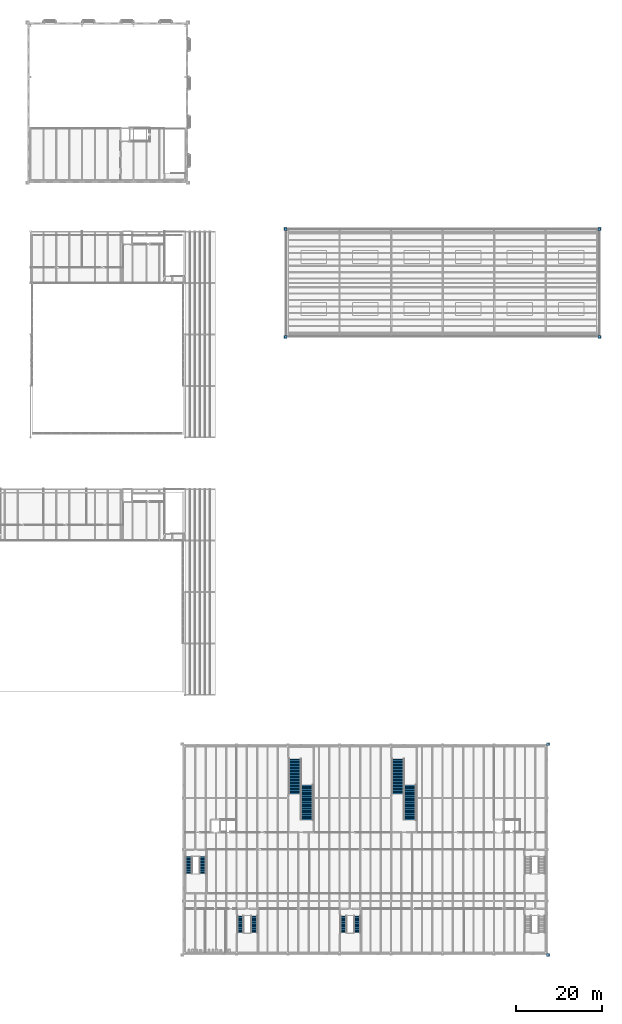
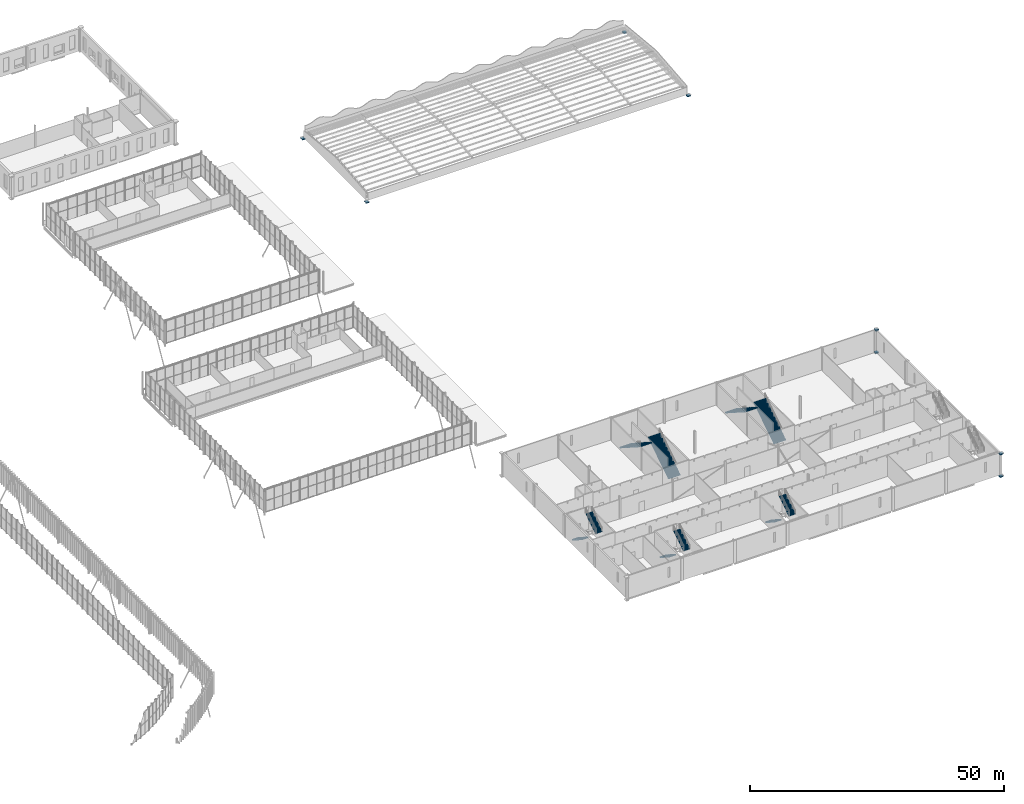
# One storey, part 123 of 170: 16 walls, 10 stair flights, 7 elements without a shape of their own.
"""IFC4 building model written with IfcOpenShell, lengths in metres."""

from ifc_helpers import new_model, si_unit, direction, frame, frame_2d, origin, place, context, subcontext, project, spatial, polyline, rectangle, outline, extrude, material, layer, layer_set, type_object, element, aggregate, save


model = new_model("IFC4")

# Units and contexts
model_context = context("Model", 3, precision=1e-05, world=origin(), true_north=direction((0.0, 1.0)))
body_context = subcontext(model_context, "Body", "Model", "MODEL_VIEW")
ifc_project = project(units=[si_unit("LENGTHUNIT", "METRE"), si_unit("AREAUNIT", "SQUARE_METRE"), si_unit("VOLUMEUNIT", "CUBIC_METRE"), si_unit("PLANEANGLEUNIT", "RADIAN"), si_unit("MASSUNIT", "GRAM", prefix="KILO")], contexts=[model_context])

# Site, building, storey
site_placement = place(None, origin())
site = spatial("IfcSite", under=ifc_project, at=site_placement, CompositionType="ELEMENT")
building_placement = place(site_placement, origin())
building = spatial("IfcBuilding", under=site, at=building_placement, Name="Ravi Spectrum Wholesale Market", CompositionType="ELEMENT")
storey_placement = place(building_placement, frame((0.0, 0.0, 5.39990234375)))
storey = spatial("IfcBuildingStorey", under=building, at=storey_placement, Name="L01", CompositionType="ELEMENT", Elevation=5.39990234375)

# Walls
ifc_material_1 = material(Name="Clinker brickwork", Category="masonry")
ifc_layer_1 = layer(ifc_material_1, 0.554931640625)
ifc_layer_set_1 = layer_set([ifc_layer_1], Name="Clinker brickwork")
wall_type_1 = type_object("IfcWallType", Name="Brick corbel 555", PredefinedType="SOLIDWALL", material=ifc_layer_set_1)
for number, where, z_axis, x_axis, name in (
    (1, (282.25, 17.472412109375, -0.389892578125), (0.0, 0.0, 1.0), (1.0, 0.0, 0.0), "CS-WL-L01-034"),
    (2, (282.25, 66.527587890625, -0.389892578125), (0.0, 0.0, 1.0), (1.0, 0.0, 0.0), "CS-WL-L01-037"),
):
    element("IfcWall", number, at=place(storey_placement, frame(where, z_axis=z_axis, x_axis=x_axis)), inside=storey, type_object=wall_type_1, Name=name, PredefinedType="SOLIDWALL", context=body_context, shape_type="SweptSolid", body=[
        extrude(rectangle(XDim=0.530029296875, YDim=0.554931640625, at=frame_2d((0.26513671875, 0.0))), origin(), (0.0, 0.0, 1.0), 0.1298828125),
    ])
for number, where, z_axis, x_axis, name in (
    (3, (282.25, 17.472412109375, 5.010009765625), (0.0, 0.0, 1.0), (1.0, 0.0, 0.0), "CS-WL-L01-048"),
    (4, (282.25, 66.527587890625, 5.010009765625), (0.0, 0.0, 1.0), (1.0, 0.0, 0.0), "CS-WL-L01-052"),
):
    element("IfcWall", number, at=place(storey_placement, frame(where, z_axis=z_axis, x_axis=x_axis)), inside=storey, type_object=wall_type_1, Name=name, PredefinedType="SOLIDWALL", context=body_context, shape_type="SweptSolid", body=[
        extrude(rectangle(XDim=0.530029296875, YDim=0.554931640625, at=frame_2d((0.26513671875, 0.0))), origin(), (0.0, 0.0, 1.0), 0.130126953125),
    ])
ifc_material_2 = material(Name="Clinker brickwork", Category="masonry")
ifc_layer_2 = layer(ifc_material_2, 0.594970703125)
ifc_layer_set_2 = layer_set([ifc_layer_2], Name="Clinker brickwork")
wall_type_2 = type_object("IfcWallType", Name="Brick corbel 595", PredefinedType="SOLIDWALL", material=ifc_layer_set_2)
for number, where, z_axis, x_axis, name in (
    (5, (221.75, 161.452392578125, -0.389892578125), (0.0, 0.0, 1.0), (-1.0, 0.0, 0.0), "GS-WL-L01-005"),
    (6, (294.25, 161.452392578125, -0.389892578125), (0.0, 0.0, 1.0), (1.0, 0.0, 0.0), "GS-WL-L01-008"),
    (7, (294.25, 186.547607421875, -0.389892578125), (0.0, 0.0, 1.0), (1.0, 0.0, 0.0), "GS-WL-L01-011"),
    (8, (221.75, 186.547607421875, -0.389892578125), (0.0, 0.0, 1.0), (-1.0, 0.0, 0.0), "GS-WL-L01-014"),
):
    element("IfcWall", number, at=place(storey_placement, frame(where, z_axis=z_axis, x_axis=x_axis)), inside=storey, type_object=wall_type_2, Name=name, PredefinedType="SOLIDWALL", context=body_context, shape_type="SweptSolid", body=[
        extrude(rectangle(XDim=0.570068359375, YDim=0.594970703125, at=frame_2d((0.28515625, 0.0))), origin(), (0.0, 0.0, 1.0), 0.1298828125),
    ])
ifc_material_3 = material(Name="Clinker brickwork", Category="masonry")
ifc_layer_3 = layer(ifc_material_3, 0.625)
ifc_layer_set_3 = layer_set([ifc_layer_3], Name="Clinker brickwork")
wall_type_3 = type_object("IfcWallType", Name="Brick corbel 625", PredefinedType="SOLIDWALL", material=ifc_layer_set_3)
for number, where, z_axis, x_axis, name in (
    (9, (282.25, 17.4375, -0.260009765625), (0.0, 0.0, 1.0), (1.0, 0.0, 0.0), "CS-WL-L01-035"),
    (10, (282.25, 66.5625, -0.260009765625), (0.0, 0.0, 1.0), (1.0, 0.0, 0.0), "CS-WL-L01-038"),
):
    element("IfcWall", number, at=place(storey_placement, frame(where, z_axis=z_axis, x_axis=x_axis)), inside=storey, type_object=wall_type_3, Name=name, PredefinedType="SOLIDWALL", context=body_context, shape_type="SweptSolid", body=[
        extrude(rectangle(XDim=0.64501953125, YDim=0.625, at=frame_2d((0.322509765625, 0.0))), origin(), (0.0, 0.0, 1.0), 0.130126953125),
    ])
for number, where, z_axis, x_axis, name in (
    (11, (282.25, 17.4375, 5.14013671875), (0.0, 0.0, 1.0), (1.0, 0.0, 0.0), "CS-WL-L01-049"),
    (12, (282.25, 66.5625, 5.14013671875), (0.0, 0.0, 1.0), (1.0, 0.0, 0.0), "CS-WL-L01-053"),
):
    element("IfcWall", number, at=place(storey_placement, frame(where, z_axis=z_axis, x_axis=x_axis)), inside=storey, type_object=wall_type_3, Name=name, PredefinedType="SOLIDWALL", context=body_context, shape_type="SweptSolid", body=[
        extrude(rectangle(XDim=0.64501953125, YDim=0.625, at=frame_2d((0.322509765625, 0.0))), origin(), (0.0, 0.0, 1.0), 0.1298828125),
    ])
ifc_material_4 = material(Name="Clinker brickwork", Category="masonry")
ifc_layer_4 = layer(ifc_material_4, 0.6650390625)
ifc_layer_set_4 = layer_set([ifc_layer_4], Name="Clinker brickwork")
wall_type_4 = type_object("IfcWallType", Name="Brick corbel 665", PredefinedType="SOLIDWALL", material=ifc_layer_set_4)
for number, where, z_axis, x_axis, name in (
    (13, (221.75, 161.41748046875, -0.260009765625), (0.0, 0.0, 1.0), (-1.0, 0.0, 0.0), "GS-WL-L01-006"),
    (14, (294.25, 161.41748046875, -0.260009765625), (0.0, 0.0, 1.0), (1.0, 0.0, 0.0), "GS-WL-L01-009"),
    (15, (294.25, 186.58251953125, -0.260009765625), (0.0, 0.0, 1.0), (1.0, 0.0, 0.0), "GS-WL-L01-012"),
    (16, (221.75, 186.58251953125, -0.260009765625), (0.0, 0.0, 1.0), (-1.0, 0.0, 0.0), "GS-WL-L01-015"),
):
    element("IfcWall", number, at=place(storey_placement, frame(where, z_axis=z_axis, x_axis=x_axis)), inside=storey, type_object=wall_type_4, Name=name, PredefinedType="SOLIDWALL", context=body_context, shape_type="SweptSolid", body=[
        extrude(rectangle(XDim=0.68505859375, YDim=0.6650390625, at=frame_2d((0.342529296875, 0.0))), origin(), (0.0, 0.0, 1.0), 0.130126953125),
    ])

# Stair, stair flights
ifc_material_5 = material(Name="Concrete C35/45", Category="concrete")
stair_type = type_object("IfcStairType", Name="Stair", PredefinedType="NOTDEFINED", material=ifc_material_5)
stair_1_placement = place(storey_placement, origin())
stair_1 = element("IfcStair", 17, at=stair_1_placement, inside=storey, type_object=stair_type, Name="L01 S-CS-1", PredefinedType="HALF_TURN_STAIR")
ifc_material_6 = material(Name="Concrete C35/45", Category="concrete")
stair_flight_type = type_object("IfcStairFlightType", Name="Stair flight", PredefinedType="STRAIGHT", material=ifc_material_6)
stair_flight_1_placement = place(storey_placement, frame((198.89990234375, 40.35009765625, 0.0), z_axis=(0.0, 0.0, 1.0), x_axis=(0.0, -1.0, 0.0)))
stair_flight_1 = element("IfcStairFlight", 18, at=stair_flight_1_placement, type_object=stair_flight_type, Name="S-CS-1 flight 1", NumberOfRisers=15, NumberOfTreads=14, PredefinedType="STRAIGHT", RiserHeight=0.18, TreadLength=0.28, context=body_context, shape_type="SweptSolid", body=[
    extrude(outline(polyline([(0.0, 0.0), (0.0, 0.179931640625), (0.280029296875, 0.179931640625), (0.280029296875, 0.360107421875), (0.56005859375, 0.360107421875), (0.56005859375, 0.5400390625), (0.840087890625, 0.5400390625), (0.840087890625, 0.719970703125), (1.1201171875, 0.719970703125), (1.1201171875, 0.89990234375), (1.39990234375, 0.89990234375), (1.39990234375, 1.080078125), (1.679931640625, 1.080078125), (1.679931640625, 1.260009765625), (1.9599609375, 1.260009765625), (1.9599609375, 1.43994140625), (2.239990234375, 1.43994140625), (2.239990234375, 1.6201171875), (2.52001953125, 1.6201171875), (2.52001953125, 1.800048828125), (2.800048828125, 1.800048828125), (2.800048828125, 1.97998046875), (3.080078125, 1.97998046875), (3.080078125, 2.159912109375), (3.360107421875, 2.159912109375), (3.360107421875, 2.340087890625), (3.639892578125, 2.340087890625), (3.639892578125, 2.52001953125), (3.919921875, 2.52001953125), (3.919921875, 2.699951171875), (3.919921875, 2.341796875), (0.277099609375, 0.0), (0.0, 0.0)])), frame((0.0, 0.75, 0.0), z_axis=(0.0, -1.0, 0.0), x_axis=(1.0, 0.0, 0.0)), (0.0, 0.0, 1.0), 1.5),
])
stair_flight_2_placement = place(storey_placement, frame((202.10009765625, 36.429931640625, 2.7001953125), z_axis=(0.0, 0.0, 1.0), x_axis=(0.0, 1.0, 0.0)))
stair_flight_2 = element("IfcStairFlight", 19, at=stair_flight_2_placement, type_object=stair_flight_type, Name="S-CS-1 flight 2", NumberOfRisers=15, NumberOfTreads=14, PredefinedType="STRAIGHT", RiserHeight=0.18, TreadLength=0.28, context=body_context, shape_type="SweptSolid", body=[
    extrude(outline(polyline([(0.0, 0.0), (0.0, 0.179931640625), (0.280029296875, 0.179931640625), (0.280029296875, 0.360107421875), (0.56005859375, 0.360107421875), (0.56005859375, 0.5400390625), (0.840087890625, 0.5400390625), (0.840087890625, 0.719970703125), (1.1201171875, 0.719970703125), (1.1201171875, 0.89990234375), (1.39990234375, 0.89990234375), (1.39990234375, 1.080078125), (1.679931640625, 1.080078125), (1.679931640625, 1.260009765625), (1.9599609375, 1.260009765625), (1.9599609375, 1.43994140625), (2.239990234375, 1.43994140625), (2.239990234375, 1.6201171875), (2.52001953125, 1.6201171875), (2.52001953125, 1.800048828125), (2.800048828125, 1.800048828125), (2.800048828125, 1.97998046875), (3.080078125, 1.97998046875), (3.080078125, 2.159912109375), (3.360107421875, 2.159912109375), (3.360107421875, 2.340087890625), (3.639892578125, 2.340087890625), (3.639892578125, 2.52001953125), (3.919921875, 2.52001953125), (3.919921875, 2.699951171875), (3.919921875, 2.341796875), (0.277099609375, 0.0), (0.0, 0.0)])), frame((0.0, 0.75, 0.0), z_axis=(0.0, -1.0, 0.0), x_axis=(1.0, 0.0, 0.0)), (0.0, 0.0, 1.0), 1.5),
])
aggregate(stair_1, [stair_flight_1, stair_flight_2])

# Stair, stair flight
stair_2_placement = place(storey_placement, origin())
stair_2 = element("IfcStair", 20, at=stair_2_placement, inside=storey, type_object=stair_type, Name="L01 S-CS-3 B", ObjectType="SCISSOR", PredefinedType="USERDEFINED")
stair_flight_3_placement = place(storey_placement, frame((226.47509765625, 48.89990234375, 0.0), z_axis=(0.0, 0.0, 1.0), x_axis=(0.0, 1.0, 0.0)))
stair_flight_3 = element("IfcStairFlight", 21, at=stair_flight_3_placement, type_object=stair_flight_type, Name="S-CS-3B flight 1", NumberOfRisers=30, NumberOfTreads=29, PredefinedType="STRAIGHT", RiserHeight=0.18, TreadLength=0.28, context=body_context, shape_type="SweptSolid", body=[
    extrude(outline(polyline([(0.0, 0.0), (0.0, 0.179931640625), (0.280029296875, 0.179931640625), (0.280029296875, 0.360107421875), (0.56005859375, 0.360107421875), (0.56005859375, 0.5400390625), (0.840087890625, 0.5400390625), (0.840087890625, 0.719970703125), (1.1201171875, 0.719970703125), (1.1201171875, 0.89990234375), (1.39990234375, 0.89990234375), (1.39990234375, 1.080078125), (1.679931640625, 1.080078125), (1.679931640625, 1.260009765625), (1.9599609375, 1.260009765625), (1.9599609375, 1.43994140625), (2.239990234375, 1.43994140625), (2.239990234375, 1.6201171875), (2.52001953125, 1.6201171875), (2.52001953125, 1.800048828125), (2.800048828125, 1.800048828125), (2.800048828125, 1.97998046875), (3.080078125, 1.97998046875), (3.080078125, 2.159912109375), (3.360107421875, 2.159912109375), (3.360107421875, 2.340087890625), (3.639892578125, 2.340087890625), (3.639892578125, 2.52001953125), (3.919921875, 2.52001953125), (3.919921875, 2.699951171875), (4.199951171875, 2.699951171875), (4.199951171875, 2.8798828125), (4.47998046875, 2.8798828125), (4.47998046875, 3.06005859375), (4.760009765625, 3.06005859375), (4.760009765625, 3.239990234375), (5.0400390625, 3.239990234375), (5.0400390625, 3.419921875), (5.320068359375, 3.419921875), (5.320068359375, 3.60009765625), (5.60009765625, 3.60009765625), (5.60009765625, 3.780029296875), (5.8798828125, 3.780029296875), (5.8798828125, 3.9599609375), (6.159912109375, 3.9599609375), (6.159912109375, 4.139892578125), (6.43994140625, 4.139892578125), (6.43994140625, 4.320068359375), (6.719970703125, 4.320068359375), (6.719970703125, 4.5), (7.0, 4.5), (7.0, 4.679931640625), (7.280029296875, 4.679931640625), (7.280029296875, 4.860107421875), (7.56005859375, 4.860107421875), (7.56005859375, 5.0400390625), (7.840087890625, 5.0400390625), (7.840087890625, 5.219970703125), (8.1201171875, 5.219970703125), (8.1201171875, 5.39990234375), (8.1201171875, 5.041748046875), (0.277099609375, 0.0), (0.0, 0.0)])), frame((0.0, 1.375, 0.0), z_axis=(0.0, -1.0, 0.0), x_axis=(1.0, 0.0, 0.0)), (0.0, 0.0, 1.0), 2.75),
])
aggregate(stair_2, [stair_flight_3])

stair_3_placement = place(storey_placement, origin())
stair_3 = element("IfcStair", 22, at=stair_3_placement, inside=storey, type_object=stair_type, Name="L01 S-CS-3 A", ObjectType="SCISSOR", PredefinedType="USERDEFINED")
stair_flight_4_placement = place(storey_placement, frame((223.52490234375, 63.10009765625, 0.0), z_axis=(0.0, 0.0, 1.0), x_axis=(0.0, -1.0, 0.0)))
stair_flight_4 = element("IfcStairFlight", 23, at=stair_flight_4_placement, type_object=stair_flight_type, Name="S-CS-3A flight 1", NumberOfRisers=30, NumberOfTreads=29, PredefinedType="STRAIGHT", RiserHeight=0.18, TreadLength=0.28, context=body_context, shape_type="SweptSolid", body=[
    extrude(outline(polyline([(0.0, 0.0), (0.0, 0.179931640625), (0.280029296875, 0.179931640625), (0.280029296875, 0.360107421875), (0.56005859375, 0.360107421875), (0.56005859375, 0.5400390625), (0.840087890625, 0.5400390625), (0.840087890625, 0.719970703125), (1.1201171875, 0.719970703125), (1.1201171875, 0.89990234375), (1.39990234375, 0.89990234375), (1.39990234375, 1.080078125), (1.679931640625, 1.080078125), (1.679931640625, 1.260009765625), (1.9599609375, 1.260009765625), (1.9599609375, 1.43994140625), (2.239990234375, 1.43994140625), (2.239990234375, 1.6201171875), (2.52001953125, 1.6201171875), (2.52001953125, 1.800048828125), (2.800048828125, 1.800048828125), (2.800048828125, 1.97998046875), (3.080078125, 1.97998046875), (3.080078125, 2.159912109375), (3.360107421875, 2.159912109375), (3.360107421875, 2.340087890625), (3.639892578125, 2.340087890625), (3.639892578125, 2.52001953125), (3.919921875, 2.52001953125), (3.919921875, 2.699951171875), (4.199951171875, 2.699951171875), (4.199951171875, 2.8798828125), (4.47998046875, 2.8798828125), (4.47998046875, 3.06005859375), (4.760009765625, 3.06005859375), (4.760009765625, 3.239990234375), (5.0400390625, 3.239990234375), (5.0400390625, 3.419921875), (5.320068359375, 3.419921875), (5.320068359375, 3.60009765625), (5.60009765625, 3.60009765625), (5.60009765625, 3.780029296875), (5.8798828125, 3.780029296875), (5.8798828125, 3.9599609375), (6.159912109375, 3.9599609375), (6.159912109375, 4.139892578125), (6.43994140625, 4.139892578125), (6.43994140625, 4.320068359375), (6.719970703125, 4.320068359375), (6.719970703125, 4.5), (7.0, 4.5), (7.0, 4.679931640625), (7.280029296875, 4.679931640625), (7.280029296875, 4.860107421875), (7.56005859375, 4.860107421875), (7.56005859375, 5.0400390625), (7.840087890625, 5.0400390625), (7.840087890625, 5.219970703125), (8.1201171875, 5.219970703125), (8.1201171875, 5.39990234375), (8.1201171875, 5.041748046875), (0.277099609375, 0.0), (0.0, 0.0)])), frame((0.0, 1.375, 0.0), z_axis=(0.0, -1.0, 0.0), x_axis=(1.0, 0.0, 0.0)), (0.0, 0.0, 1.0), 2.75),
])
aggregate(stair_3, [stair_flight_4])

# Stair, stair flights
stair_4_placement = place(storey_placement, origin())
stair_4 = element("IfcStair", 24, at=stair_4_placement, inside=storey, type_object=stair_type, Name="L01 S-CS-4", PredefinedType="HALF_TURN_STAIR")
stair_flight_5_placement = place(storey_placement, frame((234.89990234375, 26.550048828125, 0.0), z_axis=(0.0, 0.0, 1.0), x_axis=(0.0, -1.0, 0.0)))
stair_flight_5 = element("IfcStairFlight", 25, at=stair_flight_5_placement, type_object=stair_flight_type, Name="S-CS-4 flight 1", NumberOfRisers=15, NumberOfTreads=14, PredefinedType="STRAIGHT", RiserHeight=0.18, TreadLength=0.28, context=body_context, shape_type="SweptSolid", body=[
    extrude(outline(polyline([(0.0, 0.0), (0.0, 0.179931640625), (0.280029296875, 0.179931640625), (0.280029296875, 0.360107421875), (0.56005859375, 0.360107421875), (0.56005859375, 0.5400390625), (0.840087890625, 0.5400390625), (0.840087890625, 0.719970703125), (1.1201171875, 0.719970703125), (1.1201171875, 0.89990234375), (1.39990234375, 0.89990234375), (1.39990234375, 1.080078125), (1.679931640625, 1.080078125), (1.679931640625, 1.260009765625), (1.9599609375, 1.260009765625), (1.9599609375, 1.43994140625), (2.239990234375, 1.43994140625), (2.239990234375, 1.6201171875), (2.52001953125, 1.6201171875), (2.52001953125, 1.800048828125), (2.800048828125, 1.800048828125), (2.800048828125, 1.97998046875), (3.080078125, 1.97998046875), (3.080078125, 2.159912109375), (3.360107421875, 2.159912109375), (3.360107421875, 2.340087890625), (3.639892578125, 2.340087890625), (3.639892578125, 2.52001953125), (3.919921875, 2.52001953125), (3.919921875, 2.699951171875), (3.919921875, 2.341796875), (0.277099609375, 0.0), (0.0, 0.0)])), frame((0.0, 0.75, 0.0), z_axis=(0.0, -1.0, 0.0), x_axis=(1.0, 0.0, 0.0)), (0.0, 0.0, 1.0), 1.5),
])
stair_flight_6_placement = place(storey_placement, frame((238.10009765625, 22.6298828125, 2.7001953125), z_axis=(0.0, 0.0, 1.0), x_axis=(0.0, 1.0, 0.0)))
stair_flight_6 = element("IfcStairFlight", 26, at=stair_flight_6_placement, type_object=stair_flight_type, Name="S-CS-4 flight 2", NumberOfRisers=15, NumberOfTreads=14, PredefinedType="STRAIGHT", RiserHeight=0.18, TreadLength=0.28, context=body_context, shape_type="SweptSolid", body=[
    extrude(outline(polyline([(0.0, 0.0), (0.0, 0.179931640625), (0.280029296875, 0.179931640625), (0.280029296875, 0.360107421875), (0.56005859375, 0.360107421875), (0.56005859375, 0.5400390625), (0.840087890625, 0.5400390625), (0.840087890625, 0.719970703125), (1.1201171875, 0.719970703125), (1.1201171875, 0.89990234375), (1.39990234375, 0.89990234375), (1.39990234375, 1.080078125), (1.679931640625, 1.080078125), (1.679931640625, 1.260009765625), (1.9599609375, 1.260009765625), (1.9599609375, 1.43994140625), (2.239990234375, 1.43994140625), (2.239990234375, 1.6201171875), (2.52001953125, 1.6201171875), (2.52001953125, 1.800048828125), (2.800048828125, 1.800048828125), (2.800048828125, 1.97998046875), (3.080078125, 1.97998046875), (3.080078125, 2.159912109375), (3.360107421875, 2.159912109375), (3.360107421875, 2.340087890625), (3.639892578125, 2.340087890625), (3.639892578125, 2.52001953125), (3.919921875, 2.52001953125), (3.919921875, 2.699951171875), (3.919921875, 2.341796875), (0.277099609375, 0.0), (0.0, 0.0)])), frame((0.0, 0.75, 0.0), z_axis=(0.0, -1.0, 0.0), x_axis=(1.0, 0.0, 0.0)), (0.0, 0.0, 1.0), 1.5),
])
aggregate(stair_4, [stair_flight_5, stair_flight_6])

# Stair, stair flight
stair_5_placement = place(storey_placement, origin())
stair_5 = element("IfcStair", 27, at=stair_5_placement, inside=storey, type_object=stair_type, Name="L01 S-CS-5 B", ObjectType="SCISSOR", PredefinedType="USERDEFINED")
stair_flight_7_placement = place(storey_placement, frame((250.47509765625, 48.89990234375, 0.0), z_axis=(0.0, 0.0, 1.0), x_axis=(0.0, 1.0, 0.0)))
stair_flight_7 = element("IfcStairFlight", 28, at=stair_flight_7_placement, type_object=stair_flight_type, Name="S-CS-5B flight 1", NumberOfRisers=30, NumberOfTreads=29, PredefinedType="STRAIGHT", RiserHeight=0.18, TreadLength=0.28, context=body_context, shape_type="SweptSolid", body=[
    extrude(outline(polyline([(0.0, 0.0), (0.0, 0.179931640625), (0.280029296875, 0.179931640625), (0.280029296875, 0.360107421875), (0.56005859375, 0.360107421875), (0.56005859375, 0.5400390625), (0.840087890625, 0.5400390625), (0.840087890625, 0.719970703125), (1.1201171875, 0.719970703125), (1.1201171875, 0.89990234375), (1.39990234375, 0.89990234375), (1.39990234375, 1.080078125), (1.679931640625, 1.080078125), (1.679931640625, 1.260009765625), (1.9599609375, 1.260009765625), (1.9599609375, 1.43994140625), (2.239990234375, 1.43994140625), (2.239990234375, 1.6201171875), (2.52001953125, 1.6201171875), (2.52001953125, 1.800048828125), (2.800048828125, 1.800048828125), (2.800048828125, 1.97998046875), (3.080078125, 1.97998046875), (3.080078125, 2.159912109375), (3.360107421875, 2.159912109375), (3.360107421875, 2.340087890625), (3.639892578125, 2.340087890625), (3.639892578125, 2.52001953125), (3.919921875, 2.52001953125), (3.919921875, 2.699951171875), (4.199951171875, 2.699951171875), (4.199951171875, 2.8798828125), (4.47998046875, 2.8798828125), (4.47998046875, 3.06005859375), (4.760009765625, 3.06005859375), (4.760009765625, 3.239990234375), (5.0400390625, 3.239990234375), (5.0400390625, 3.419921875), (5.320068359375, 3.419921875), (5.320068359375, 3.60009765625), (5.60009765625, 3.60009765625), (5.60009765625, 3.780029296875), (5.8798828125, 3.780029296875), (5.8798828125, 3.9599609375), (6.159912109375, 3.9599609375), (6.159912109375, 4.139892578125), (6.43994140625, 4.139892578125), (6.43994140625, 4.320068359375), (6.719970703125, 4.320068359375), (6.719970703125, 4.5), (7.0, 4.5), (7.0, 4.679931640625), (7.280029296875, 4.679931640625), (7.280029296875, 4.860107421875), (7.56005859375, 4.860107421875), (7.56005859375, 5.0400390625), (7.840087890625, 5.0400390625), (7.840087890625, 5.219970703125), (8.1201171875, 5.219970703125), (8.1201171875, 5.39990234375), (8.1201171875, 5.041748046875), (0.277099609375, 0.0), (0.0, 0.0)])), frame((0.0, 1.375, 0.0), z_axis=(0.0, -1.0, 0.0), x_axis=(1.0, 0.0, 0.0)), (0.0, 0.0, 1.0), 2.75),
])
aggregate(stair_5, [stair_flight_7])

stair_6_placement = place(storey_placement, origin())
stair_6 = element("IfcStair", 29, at=stair_6_placement, inside=storey, type_object=stair_type, Name="L01 S-CS-5 A", ObjectType="SCISSOR", PredefinedType="USERDEFINED")
stair_flight_8_placement = place(storey_placement, frame((247.52490234375, 63.10009765625, 0.0), z_axis=(0.0, 0.0, 1.0), x_axis=(0.0, -1.0, 0.0)))
stair_flight_8 = element("IfcStairFlight", 30, at=stair_flight_8_placement, type_object=stair_flight_type, Name="S-CS-5A flight 1", NumberOfRisers=30, NumberOfTreads=29, PredefinedType="STRAIGHT", RiserHeight=0.18, TreadLength=0.28, context=body_context, shape_type="SweptSolid", body=[
    extrude(outline(polyline([(0.0, 0.0), (0.0, 0.179931640625), (0.280029296875, 0.179931640625), (0.280029296875, 0.360107421875), (0.56005859375, 0.360107421875), (0.56005859375, 0.5400390625), (0.840087890625, 0.5400390625), (0.840087890625, 0.719970703125), (1.1201171875, 0.719970703125), (1.1201171875, 0.89990234375), (1.39990234375, 0.89990234375), (1.39990234375, 1.080078125), (1.679931640625, 1.080078125), (1.679931640625, 1.260009765625), (1.9599609375, 1.260009765625), (1.9599609375, 1.43994140625), (2.239990234375, 1.43994140625), (2.239990234375, 1.6201171875), (2.52001953125, 1.6201171875), (2.52001953125, 1.800048828125), (2.800048828125, 1.800048828125), (2.800048828125, 1.97998046875), (3.080078125, 1.97998046875), (3.080078125, 2.159912109375), (3.360107421875, 2.159912109375), (3.360107421875, 2.340087890625), (3.639892578125, 2.340087890625), (3.639892578125, 2.52001953125), (3.919921875, 2.52001953125), (3.919921875, 2.699951171875), (4.199951171875, 2.699951171875), (4.199951171875, 2.8798828125), (4.47998046875, 2.8798828125), (4.47998046875, 3.06005859375), (4.760009765625, 3.06005859375), (4.760009765625, 3.239990234375), (5.0400390625, 3.239990234375), (5.0400390625, 3.419921875), (5.320068359375, 3.419921875), (5.320068359375, 3.60009765625), (5.60009765625, 3.60009765625), (5.60009765625, 3.780029296875), (5.8798828125, 3.780029296875), (5.8798828125, 3.9599609375), (6.159912109375, 3.9599609375), (6.159912109375, 4.139892578125), (6.43994140625, 4.139892578125), (6.43994140625, 4.320068359375), (6.719970703125, 4.320068359375), (6.719970703125, 4.5), (7.0, 4.5), (7.0, 4.679931640625), (7.280029296875, 4.679931640625), (7.280029296875, 4.860107421875), (7.56005859375, 4.860107421875), (7.56005859375, 5.0400390625), (7.840087890625, 5.0400390625), (7.840087890625, 5.219970703125), (8.1201171875, 5.219970703125), (8.1201171875, 5.39990234375), (8.1201171875, 5.041748046875), (0.277099609375, 0.0), (0.0, 0.0)])), frame((0.0, 1.375, 0.0), z_axis=(0.0, -1.0, 0.0), x_axis=(1.0, 0.0, 0.0)), (0.0, 0.0, 1.0), 2.75),
])
aggregate(stair_6, [stair_flight_8])

# Stair, stair flights
stair_7_placement = place(storey_placement, origin())
stair_7 = element("IfcStair", 31, at=stair_7_placement, inside=storey, type_object=stair_type, Name="L01 S-CS-6", PredefinedType="HALF_TURN_STAIR")
stair_flight_9_placement = place(storey_placement, frame((210.89990234375, 26.550048828125, 0.0), z_axis=(0.0, 0.0, 1.0), x_axis=(0.0, -1.0, 0.0)))
stair_flight_9 = element("IfcStairFlight", 32, at=stair_flight_9_placement, type_object=stair_flight_type, Name="S-CS-6 flight 1", NumberOfRisers=15, NumberOfTreads=14, PredefinedType="STRAIGHT", RiserHeight=0.18, TreadLength=0.28, context=body_context, shape_type="SweptSolid", body=[
    extrude(outline(polyline([(0.0, 0.0), (0.0, 0.179931640625), (0.280029296875, 0.179931640625), (0.280029296875, 0.360107421875), (0.56005859375, 0.360107421875), (0.56005859375, 0.5400390625), (0.840087890625, 0.5400390625), (0.840087890625, 0.719970703125), (1.1201171875, 0.719970703125), (1.1201171875, 0.89990234375), (1.39990234375, 0.89990234375), (1.39990234375, 1.080078125), (1.679931640625, 1.080078125), (1.679931640625, 1.260009765625), (1.9599609375, 1.260009765625), (1.9599609375, 1.43994140625), (2.239990234375, 1.43994140625), (2.239990234375, 1.6201171875), (2.52001953125, 1.6201171875), (2.52001953125, 1.800048828125), (2.800048828125, 1.800048828125), (2.800048828125, 1.97998046875), (3.080078125, 1.97998046875), (3.080078125, 2.159912109375), (3.360107421875, 2.159912109375), (3.360107421875, 2.340087890625), (3.639892578125, 2.340087890625), (3.639892578125, 2.52001953125), (3.919921875, 2.52001953125), (3.919921875, 2.699951171875), (3.919921875, 2.341796875), (0.277099609375, 0.0), (0.0, 0.0)])), frame((0.0, 0.75, 0.0), z_axis=(0.0, -1.0, 0.0), x_axis=(1.0, 0.0, 0.0)), (0.0, 0.0, 1.0), 1.5),
])
stair_flight_10_placement = place(storey_placement, frame((214.10009765625, 22.6298828125, 2.7001953125), z_axis=(0.0, 0.0, 1.0), x_axis=(0.0, 1.0, 0.0)))
stair_flight_10 = element("IfcStairFlight", 33, at=stair_flight_10_placement, type_object=stair_flight_type, Name="S-CS-6 flight 2", NumberOfRisers=15, NumberOfTreads=14, PredefinedType="STRAIGHT", RiserHeight=0.18, TreadLength=0.28, context=body_context, shape_type="SweptSolid", body=[
    extrude(outline(polyline([(0.0, 0.0), (0.0, 0.179931640625), (0.280029296875, 0.179931640625), (0.280029296875, 0.360107421875), (0.56005859375, 0.360107421875), (0.56005859375, 0.5400390625), (0.840087890625, 0.5400390625), (0.840087890625, 0.719970703125), (1.1201171875, 0.719970703125), (1.1201171875, 0.89990234375), (1.39990234375, 0.89990234375), (1.39990234375, 1.080078125), (1.679931640625, 1.080078125), (1.679931640625, 1.260009765625), (1.9599609375, 1.260009765625), (1.9599609375, 1.43994140625), (2.239990234375, 1.43994140625), (2.239990234375, 1.6201171875), (2.52001953125, 1.6201171875), (2.52001953125, 1.800048828125), (2.800048828125, 1.800048828125), (2.800048828125, 1.97998046875), (3.080078125, 1.97998046875), (3.080078125, 2.159912109375), (3.360107421875, 2.159912109375), (3.360107421875, 2.340087890625), (3.639892578125, 2.340087890625), (3.639892578125, 2.52001953125), (3.919921875, 2.52001953125), (3.919921875, 2.699951171875), (3.919921875, 2.341796875), (0.277099609375, 0.0), (0.0, 0.0)])), frame((0.0, 0.75, 0.0), z_axis=(0.0, -1.0, 0.0), x_axis=(1.0, 0.0, 0.0)), (0.0, 0.0, 1.0), 1.5),
])
aggregate(stair_7, [stair_flight_9, stair_flight_10])

save(model, "model.ifc")
